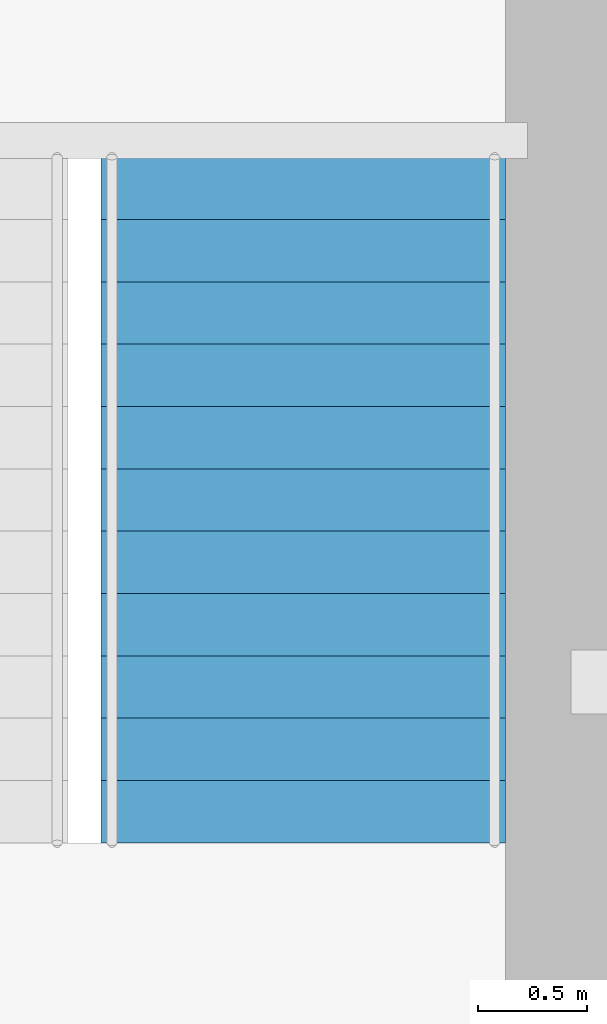
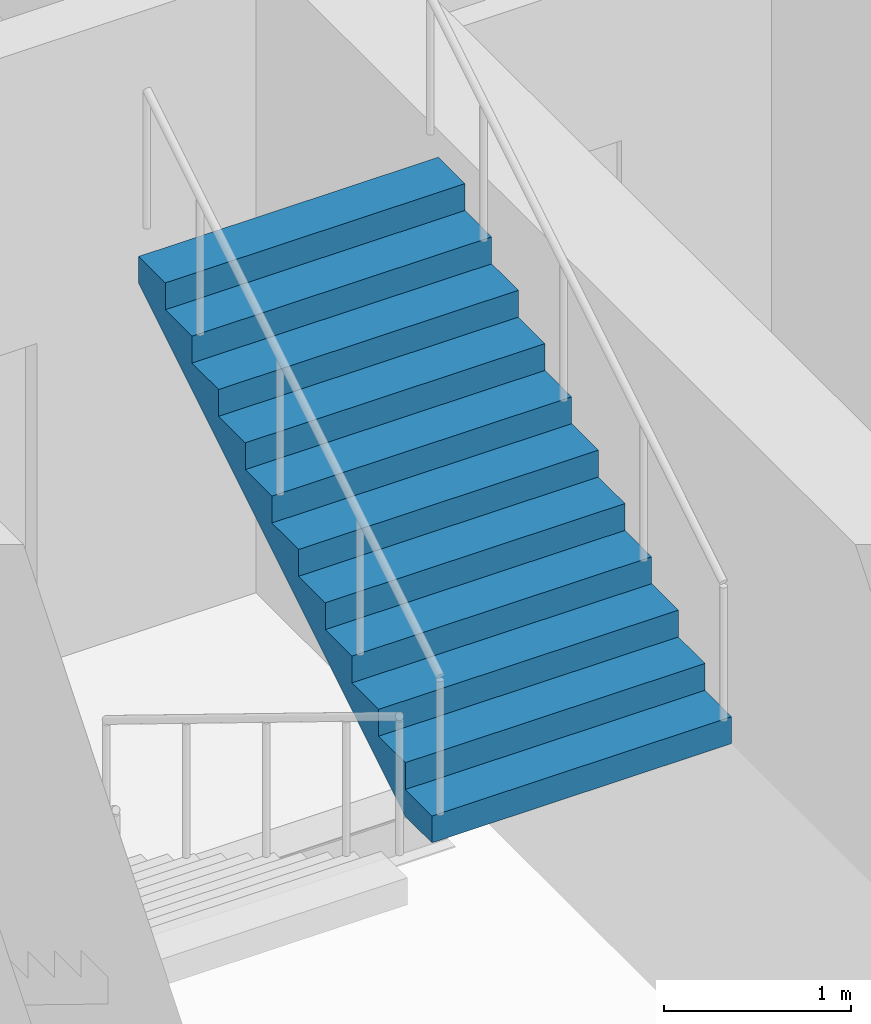
# One storey, part 11 of 13: 1 stair flight, 1 element without a shape of its own.
"""IFC4 building model written with IfcOpenShell, lengths in metres."""

from ifc_helpers import new_model, si_unit, direction, frame, origin, place, context, subcontext, project, spatial, polyline, outline, extrude, material, type_object, element, aggregate, save


model = new_model("IFC4")

# Units and contexts
model_context = context("Model", 3, precision=1e-05, world=origin(), true_north=direction((0.0, 1.0)))
body_context = subcontext(model_context, "Body", "Model", "MODEL_VIEW")
ifc_project = project(units=[si_unit("LENGTHUNIT", "METRE"), si_unit("AREAUNIT", "SQUARE_METRE"), si_unit("VOLUMEUNIT", "CUBIC_METRE"), si_unit("PLANEANGLEUNIT", "RADIAN"), si_unit("MASSUNIT", "GRAM", prefix="KILO")], contexts=[model_context])

# Site, building, storey
site_placement = place(None, origin())
site = spatial("IfcSite", under=ifc_project, at=site_placement, CompositionType="ELEMENT")
building_placement = place(site_placement, origin())
building = spatial("IfcBuilding", under=site, at=building_placement, Name="Corais Broadcast Tower", CompositionType="ELEMENT")
storey_placement = place(building_placement, frame((0.0, 0.0, 62.60009765625)))
storey = spatial("IfcBuildingStorey", under=building, at=storey_placement, Name="L13", CompositionType="ELEMENT", Elevation=62.60009765625)

# Stair, stair flight
ifc_material_1 = material(Name="Concrete C30/37", Category="concrete")
stair_type = type_object("IfcStairType", Name="Half-turn stair 4200", PredefinedType="HALF_TURN_STAIR", material=ifc_material_1)
stair_placement = place(storey_placement, origin())
stair = element("IfcStair", 1, at=stair_placement, inside=storey, type_object=stair_type, Name="Stair B L13", PredefinedType="HALF_TURN_STAIR")
ifc_material_2 = material(Name="Concrete C30/37", Category="concrete")
stair_flight_type = type_object("IfcStairFlightType", Name="Stair flight 4200", PredefinedType="STRAIGHT", material=ifc_material_2)
stair_flight_placement = place(storey_placement, frame((39.27490234375, 26.264892578125, 2.099853515625), z_axis=(0.0, 0.0, 1.0), x_axis=(0.0, 1.0, 0.0)))
stair_flight = element("IfcStairFlight", 2, at=stair_flight_placement, type_object=stair_flight_type, Name="STB flight 2", NumberOfRisers=12, NumberOfTreads=11, PredefinedType="STRAIGHT", RiserHeight=0.175, TreadLength=0.285, context=body_context, shape_type="SweptSolid", body=[
    extrude(outline(polyline([(0.0, 0.0), (0.0, 0.175048828125), (0.284912109375, 0.175048828125), (0.284912109375, 0.35009765625), (0.570068359375, 0.35009765625), (0.570068359375, 0.52490234375), (0.85498046875, 0.52490234375), (0.85498046875, 0.699951171875), (1.139892578125, 0.699951171875), (1.139892578125, 0.875), (1.425048828125, 0.875), (1.425048828125, 1.050048828125), (1.7099609375, 1.050048828125), (1.7099609375, 1.22509765625), (1.9951171875, 1.22509765625), (1.9951171875, 1.39990234375), (2.280029296875, 1.39990234375), (2.280029296875, 1.574951171875), (2.56494140625, 1.574951171875), (2.56494140625, 1.75), (2.85009765625, 1.75), (2.85009765625, 1.925048828125), (3.135009765625, 1.925048828125), (3.135009765625, 2.10009765625), (3.135009765625, 1.7490234375), (0.286376953125, 0.0), (0.0, 0.0)])), frame((0.0, 0.925048828125, 0.0), z_axis=(0.0, -1.0, 0.0), x_axis=(1.0, 0.0, 0.0)), (0.0, 0.0, 1.0), 1.85009765625),
])
aggregate(stair, [stair_flight])

save(model, "model.ifc")
